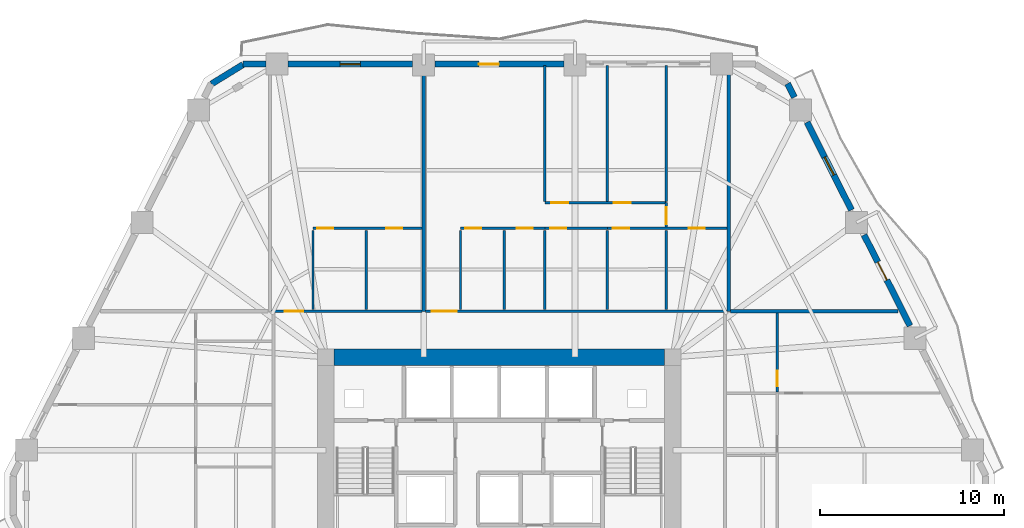
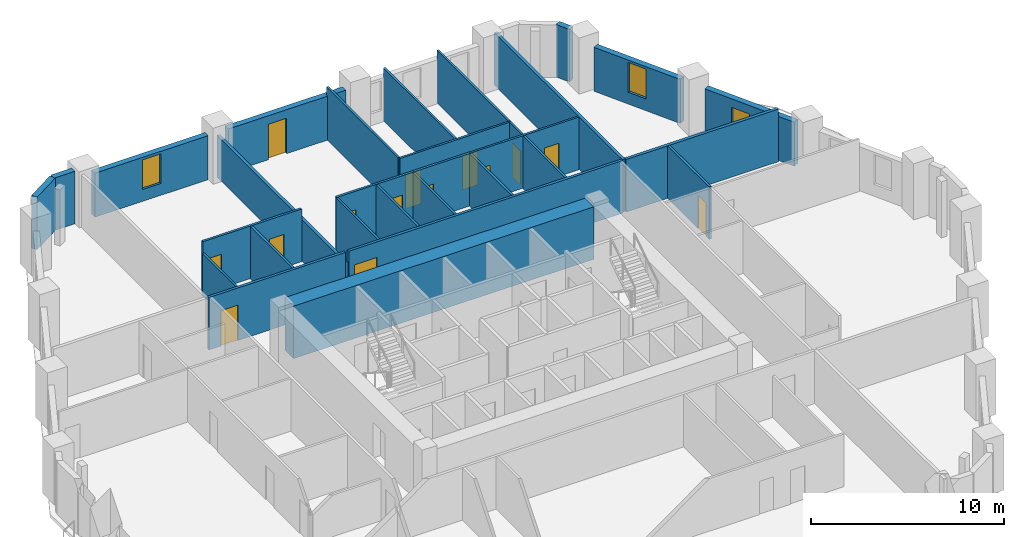
# One storey, part 7 of 11: 30 walls, 15 doors, 2 windows, 17 openings.
"""IFC4 building model written with IfcOpenShell, lengths in metres."""

from ifc_helpers import new_model, si_unit, direction, frame, frame_2d, origin, place, context, subcontext, project, spatial, rectangle, extrude, material, layer, layer_set, type_object, element, fill, save


model = new_model("IFC4")

# Units and contexts
model_context = context("Model", 3, precision=1e-05, world=origin(), true_north=direction((0.0, 1.0)))
body_context = subcontext(model_context, "Body", "Model", "MODEL_VIEW")
ifc_project = project(units=[si_unit("LENGTHUNIT", "METRE"), si_unit("AREAUNIT", "SQUARE_METRE"), si_unit("VOLUMEUNIT", "CUBIC_METRE"), si_unit("PLANEANGLEUNIT", "RADIAN"), si_unit("MASSUNIT", "GRAM", prefix="KILO")], contexts=[model_context])

# Site, building, storey
site_placement = place(None, origin())
site = spatial("IfcSite", under=ifc_project, at=site_placement, CompositionType="ELEMENT")
building_placement = place(site_placement, origin())
building = spatial("IfcBuilding", under=site, at=building_placement, Name="Cinnabar Lancet Tower", CompositionType="ELEMENT")
storey_placement = place(building_placement, frame((0.0, 0.0, 46.199951171875)))
storey = spatial("IfcBuildingStorey", under=building, at=storey_placement, Name="L11", CompositionType="ELEMENT", Elevation=46.199951171875)

# Wall, opening, door
ifc_material_1 = material(Name="Acoustic twin-stud gypsum partition", Category="gypsum")
ifc_layer_1 = layer(ifc_material_1, 0.159912109375)
ifc_layer_set_1 = layer_set([ifc_layer_1], Name="Acoustic twin-stud gypsum partition")
wall_type_1 = type_object("IfcWallType", Name="ARC-WL-CORR-160", PredefinedType="PARTITIONING", material=ifc_layer_set_1)
wall_1_placement = place(storey_placement, frame((19.9951171875, 35.85009765625, 0.0), z_axis=(0.0, 0.0, 1.0), x_axis=(1.0, 0.0, 0.0)))
wall_1 = element("IfcWall", 1, at=wall_1_placement, inside=storey, type_object=wall_type_1, Name="L11 Unit N01 Corridor Wall", PredefinedType="PARTITIONING", context=body_context, shape_type="SweptSolid", body=[
    extrude(rectangle(XDim=8.18798828125, YDim=0.159912109375, at=frame_2d((4.093994140625, 0.0))), origin(), (0.0, 0.0, 1.0), 3.330078125),
])
opening_1_placement = place(wall_1_placement, frame((0.705078125, 0.0, 0.0)))
opening_1 = element("IfcOpeningElement", 2, at=opening_1_placement, cuts=wall_1, Name="Opening UD-01", PredefinedType="OPENING", context=body_context, shape_type="SweptSolid", body=[
    extrude(rectangle(XDim=1.02001953125, YDim=2.25, at=frame_2d((0.510009765625, 1.125))), frame((0.0, 0.08984375, 0.0), z_axis=(0.0, -1.0, 0.0), x_axis=(1.0, 0.0, 0.0)), (0.0, 0.0, 1.0), 0.179931640625),
])
ifc_material_2 = material(Name="Solid timber fire-rated apartment entrance door", Category="wood")
door_type_1 = type_object("IfcDoorType", Name="ARC-DR-UNIT", OperationType="NOTDEFINED", PredefinedType="DOOR", material=ifc_material_2)
door_1_placement = place(opening_1_placement, origin())
door_1 = element("IfcDoor", 3, at=door_1_placement, inside=storey, type_object=door_type_1, Name="DR-L11-N01-ENT", OperationType="SINGLE_SWING_LEFT", OverallHeight=2.25, OverallWidth=1.02001953125, PredefinedType="DOOR", context=body_context, shape_type="SweptSolid", body=[
    extrude(rectangle(XDim=1.02001953125, YDim=2.25, at=frame_2d((0.510009765625, 1.125))), frame((0.0, 0.02490234375, 0.0), z_axis=(0.0, -1.0, 0.0), x_axis=(1.0, 0.0, 0.0)), (0.0, 0.0, 1.0), 0.050048828125),
])
fill(opening_1, door_1)

wall_2_placement = place(storey_placement, frame((28.373046875, 35.85009765625, 0.0), z_axis=(0.0, 0.0, 1.0), x_axis=(1.0, 0.0, 0.0)))
wall_2 = element("IfcWall", 4, at=wall_2_placement, inside=storey, type_object=wall_type_1, Name="L11 Unit N02 Corridor Wall", PredefinedType="PARTITIONING", context=body_context, shape_type="SweptSolid", body=[
    extrude(rectangle(XDim=16.431884765625, YDim=0.159912109375, at=frame_2d((8.2158203125, 0.0))), origin(), (0.0, 0.0, 1.0), 3.330078125),
])
opening_2_placement = place(wall_2_placement, frame((0.35498046875, 0.0, 0.0)))
opening_2 = element("IfcOpeningElement", 5, at=opening_2_placement, cuts=wall_2, Name="Opening UD-02", PredefinedType="OPENING", context=body_context, shape_type="SweptSolid", body=[
    extrude(rectangle(XDim=1.35009765625, YDim=2.35009765625, at=frame_2d((0.675048828125, 1.175048828125))), frame((0.0, 0.08984375, 0.0), z_axis=(0.0, -1.0, 0.0), x_axis=(1.0, 0.0, 0.0)), (0.0, 0.0, 1.0), 0.179931640625),
])
ifc_material_3 = material(Name="Double-leaf solid timber penthouse entrance door", Category="wood")
door_type_2 = type_object("IfcDoorType", Name="ARC-DR-UNIT-PH", OperationType="NOTDEFINED", PredefinedType="DOOR", material=ifc_material_3)
door_2_placement = place(opening_2_placement, origin())
door_2 = element("IfcDoor", 6, at=door_2_placement, inside=storey, type_object=door_type_2, Name="DR-L11-N02-ENT", OperationType="SINGLE_SWING_RIGHT", OverallHeight=2.35009765625, OverallWidth=1.35009765625, PredefinedType="DOOR", context=body_context, shape_type="SweptSolid", body=[
    extrude(rectangle(XDim=1.35009765625, YDim=2.35009765625, at=frame_2d((0.675048828125, 1.175048828125))), frame((0.0, 0.02490234375, 0.0), z_axis=(0.0, -1.0, 0.0), x_axis=(1.0, 0.0, 0.0)), (0.0, 0.0, 1.0), 0.050048828125),
])
fill(opening_2, door_2)

# Walls
ifc_material_4 = material(Name="Fire-rated twin-frame acoustic drywall", Category="gypsum")
ifc_layer_2 = layer(ifc_material_4, 0.179931640625)
ifc_layer_set_2 = layer_set([ifc_layer_2], Name="Fire-rated twin-frame acoustic drywall")
wall_type_2 = type_object("IfcWallType", Name="ARC-WL-PARTY-180", PredefinedType="PARTITIONING", material=ifc_layer_set_2)
wall_3_placement = place(storey_placement, frame((28.278076171875, 35.85009765625, 0.0), z_axis=(0.0, 0.0, 1.0), x_axis=(0.0, 1.0, 0.0)))
element("IfcWall", 7, at=wall_3_placement, inside=storey, type_object=wall_type_2, Name="PW-L11-NPTY-283", PredefinedType="PARTITIONING", context=body_context, shape_type="SweptSolid", body=[
    extrude(rectangle(XDim=13.294921875, YDim=0.179931640625, at=frame_2d((6.6474609375, 0.0))), origin(), (0.0, 0.0, 1.0), 2.636962890625),
])
wall_4_placement = place(storey_placement, frame((44.89990234375, 35.85009765625, 0.0), z_axis=(0.0, 0.0, 1.0), x_axis=(0.0, 1.0, 0.0)))
element("IfcWall", 8, at=wall_4_placement, inside=storey, type_object=wall_type_2, Name="PW-L11-NPTY-449", PredefinedType="PARTITIONING", context=body_context, shape_type="SweptSolid", body=[
    extrude(rectangle(XDim=13.294921875, YDim=0.179931640625, at=frame_2d((6.6474609375, 0.0))), origin(), (0.0, 0.0, 1.0), 3.330078125),
])
wall_5_placement = place(storey_placement, frame((44.9951171875, 35.85009765625, 0.0), z_axis=(0.0, 0.0, 1.0), x_axis=(1.0, 0.0, 0.0)))
element("IfcWall", 9, at=wall_5_placement, inside=storey, type_object=wall_type_2, Name="PW-L11-ENB", PredefinedType="PARTITIONING", context=body_context, shape_type="SweptSolid", body=[
    extrude(rectangle(XDim=9.139892578125, YDim=0.179931640625, at=frame_2d((4.56982421875, 0.0))), origin(), (0.0, 0.0, 1.0), 3.330078125),
])
ifc_material_5 = material(Name="Gypsum plasterboard stud partition", Category="gypsum")
ifc_layer_3 = layer(ifc_material_5, 0.125)
ifc_layer_set_3 = layer_set([ifc_layer_3], Name="Gypsum plasterboard stud partition")
wall_type_3 = type_object("IfcWallType", Name="ARC-WL-UNIT-125", PredefinedType="PARTITIONING", material=ifc_layer_set_3)
wall_6_placement = place(storey_placement, frame((22.25, 35.93505859375, 0.0), z_axis=(0.0, 0.0, 1.0), x_axis=(0.0, 1.0, 0.0)))
element("IfcWall", 10, at=wall_6_placement, inside=storey, type_object=wall_type_3, Name="UW-L11-N01-FOYE", PredefinedType="PARTITIONING", context=body_context, shape_type="SweptSolid", body=[
    extrude(rectangle(XDim=4.329833984375, YDim=0.125, at=frame_2d((2.1650390625, 0.0))), origin(), (0.0, 0.0, 1.0), 2.636962890625),
])
wall_7_placement = place(storey_placement, frame((30.278076171875, 35.93505859375, 0.0), z_axis=(0.0, 0.0, 1.0), x_axis=(0.0, 1.0, 0.0)))
element("IfcWall", 11, at=wall_7_placement, inside=storey, type_object=wall_type_3, Name="UW-L11-N02-FOYE", PredefinedType="PARTITIONING", context=body_context, shape_type="SweptSolid", body=[
    extrude(rectangle(XDim=4.329833984375, YDim=0.125, at=frame_2d((2.1650390625, 0.0))), origin(), (0.0, 0.0, 1.0), 3.330078125),
])

# Wall, openings, doors
wall_8_placement = place(storey_placement, frame((38.284912109375, 40.3701171875, 0.0), z_axis=(0.0, 0.0, 1.0), x_axis=(1.0, 0.0, 0.0)))
wall_8 = element("IfcWall", 12, at=wall_8_placement, inside=storey, type_object=wall_type_3, Name="UW-L11-N02-SP2", PredefinedType="PARTITIONING", context=body_context, shape_type="SweptSolid", body=[
    extrude(rectangle(XDim=6.52001953125, YDim=0.125, at=frame_2d((3.260009765625, 0.0))), origin(), (0.0, 0.0, 1.0), 3.330078125),
])
opening_3_placement = place(wall_8_placement, frame((4.43896484375, 0.0, 0.0)))
opening_3 = element("IfcOpeningElement", 13, at=opening_3_placement, cuts=wall_8, Name="Opening BD-01", PredefinedType="OPENING", context=body_context, shape_type="SweptSolid", body=[
    extrude(rectangle(XDim=0.860107421875, YDim=2.10009765625, at=frame_2d((0.43017578125, 1.050048828125))), frame((0.0, 0.072509765625, 0.0), z_axis=(0.0, -1.0, 0.0), x_axis=(1.0, 0.0, 0.0)), (0.0, 0.0, 1.0), 0.14501953125),
])
opening_4_placement = place(wall_8_placement, frame((0.300048828125, 0.0, 0.0)))
opening_4 = element("IfcOpeningElement", 14, at=opening_4_placement, cuts=wall_8, Name="Opening RD-02", PredefinedType="OPENING", context=body_context, shape_type="SweptSolid", body=[
    extrude(rectangle(XDim=0.8798828125, YDim=2.14990234375, at=frame_2d((0.43994140625, 1.074951171875))), frame((0.0, 0.072509765625, 0.0), z_axis=(0.0, -1.0, 0.0), x_axis=(1.0, 0.0, 0.0)), (0.0, 0.0, 1.0), 0.14501953125),
])
ifc_material_6 = material(Name="Moisture-resistant timber bathroom door", Category="wood")
door_type_3 = type_object("IfcDoorType", Name="ARC-DR-BATH", OperationType="NOTDEFINED", PredefinedType="DOOR", material=ifc_material_6)
door_3_placement = place(opening_3_placement, origin())
door_3 = element("IfcDoor", 15, at=door_3_placement, inside=storey, type_object=door_type_3, Name="DR-L11-N02-ENS", OperationType="SINGLE_SWING_LEFT", OverallHeight=2.10009765625, OverallWidth=0.860107421875, PredefinedType="DOOR", context=body_context, shape_type="SweptSolid", body=[
    extrude(rectangle(XDim=0.860107421875, YDim=2.10009765625, at=frame_2d((0.43017578125, 1.050048828125))), frame((0.0, 0.02490234375, 0.0), z_axis=(0.0, -1.0, 0.0), x_axis=(1.0, 0.0, 0.0)), (0.0, 0.0, 1.0), 0.050048828125),
])
fill(opening_3, door_3)
ifc_material_7 = material(Name="Engineered timber study door", Category="wood")
door_type_4 = type_object("IfcDoorType", Name="ARC-DR-STUDY", OperationType="NOTDEFINED", PredefinedType="DOOR", material=ifc_material_7)
door_4_placement = place(opening_4_placement, origin())
door_4 = element("IfcDoor", 16, at=door_4_placement, inside=storey, type_object=door_type_4, Name="DR-L11-N02-DRS", OperationType="SINGLE_SWING_RIGHT", OverallHeight=2.14990234375, OverallWidth=0.8798828125, PredefinedType="DOOR", context=body_context, shape_type="SweptSolid", body=[
    extrude(rectangle(XDim=0.8798828125, YDim=2.14990234375, at=frame_2d((0.43994140625, 1.074951171875))), frame((0.0, 0.02490234375, 0.0), z_axis=(0.0, -1.0, 0.0), x_axis=(1.0, 0.0, 0.0)), (0.0, 0.0, 1.0), 0.050048828125),
])
fill(opening_4, door_4)

# Wall
wall_9_placement = place(storey_placement, frame((34.8779296875, 41.8349609375, 0.0), z_axis=(0.0, 0.0, 1.0), x_axis=(0.0, 1.0, 0.0)))
element("IfcWall", 17, at=wall_9_placement, inside=storey, type_object=wall_type_3, Name="UW-L11-N02-BD2W", PredefinedType="PARTITIONING", context=body_context, shape_type="SweptSolid", body=[
    extrude(rectangle(XDim=7.400146484375, YDim=0.125, at=frame_2d((3.7001953125, 0.0))), origin(), (0.0, 0.0, 1.0), 3.330078125),
])

# Wall, openings, doors
wall_10_placement = place(storey_placement, frame((34.8779296875, 41.77001953125, 0.0), z_axis=(0.0, 0.0, 1.0), x_axis=(1.0, 0.0, 0.0)))
wall_10 = element("IfcWall", 18, at=wall_10_placement, inside=storey, type_object=wall_type_3, Name="UW-L11-N02-HLN", PredefinedType="PARTITIONING", context=body_context, shape_type="SweptSolid", body=[
    extrude(rectangle(XDim=6.614990234375, YDim=0.125, at=frame_2d((3.3076171875, 0.0))), origin(), (0.0, 0.0, 1.0), 3.330078125),
])
opening_5_placement = place(wall_10_placement, frame((0.35009765625, 0.0, 0.0)))
opening_5 = element("IfcOpeningElement", 19, at=opening_5_placement, cuts=wall_10, Name="Opening RD-01", PredefinedType="OPENING", context=body_context, shape_type="SweptSolid", body=[
    extrude(rectangle(XDim=0.919921875, YDim=2.14990234375, at=frame_2d((0.4599609375, 1.074951171875))), frame((0.0, 0.072509765625, 0.0), z_axis=(0.0, -1.0, 0.0), x_axis=(1.0, 0.0, 0.0)), (0.0, 0.0, 1.0), 0.14501953125),
])
opening_6_placement = place(wall_10_placement, frame((3.757080078125, 0.0, 0.0)))
opening_6 = element("IfcOpeningElement", 20, at=opening_6_placement, cuts=wall_10, Name="Opening RD-01", PredefinedType="OPENING", context=body_context, shape_type="SweptSolid", body=[
    extrude(rectangle(XDim=0.919921875, YDim=2.14990234375, at=frame_2d((0.4599609375, 1.074951171875))), frame((0.0, 0.072509765625, 0.0), z_axis=(0.0, -1.0, 0.0), x_axis=(1.0, 0.0, 0.0)), (0.0, 0.0, 1.0), 0.14501953125),
])
ifc_material_8 = material(Name="Engineered timber bedroom door", Category="wood")
door_type_5 = type_object("IfcDoorType", Name="ARC-DR-ROOM", OperationType="NOTDEFINED", PredefinedType="DOOR", material=ifc_material_8)
door_5_placement = place(opening_5_placement, origin())
door_5 = element("IfcDoor", 21, at=door_5_placement, inside=storey, type_object=door_type_5, Name="DR-L11-N02-BD2", OperationType="SINGLE_SWING_LEFT", OverallHeight=2.14990234375, OverallWidth=0.919921875, PredefinedType="DOOR", context=body_context, shape_type="SweptSolid", body=[
    extrude(rectangle(XDim=0.919921875, YDim=2.14990234375, at=frame_2d((0.4599609375, 1.074951171875))), frame((0.0, 0.02490234375, 0.0), z_axis=(0.0, -1.0, 0.0), x_axis=(1.0, 0.0, 0.0)), (0.0, 0.0, 1.0), 0.050048828125),
])
fill(opening_5, door_5)
door_6_placement = place(opening_6_placement, origin())
door_6 = element("IfcDoor", 22, at=door_6_placement, inside=storey, type_object=door_type_5, Name="DR-L11-N02-BD3", OperationType="SINGLE_SWING_RIGHT", OverallHeight=2.14990234375, OverallWidth=0.919921875, PredefinedType="DOOR", context=body_context, shape_type="SweptSolid", body=[
    extrude(rectangle(XDim=0.919921875, YDim=2.14990234375, at=frame_2d((0.4599609375, 1.074951171875))), frame((0.0, 0.02490234375, 0.0), z_axis=(0.0, -1.0, 0.0), x_axis=(1.0, 0.0, 0.0)), (0.0, 0.0, 1.0), 0.050048828125),
])
fill(opening_6, door_6)

# Wall, opening, door
wall_11_placement = place(storey_placement, frame((41.492919921875, 40.43994140625, 0.0), z_axis=(0.0, 0.0, 1.0), x_axis=(0.0, 1.0, 0.0)))
wall_11 = element("IfcWall", 23, at=wall_11_placement, inside=storey, type_object=wall_type_3, Name="UW-L11-N02-MBE", PredefinedType="PARTITIONING", context=body_context, shape_type="SweptSolid", body=[
    extrude(rectangle(XDim=1.330078125, YDim=0.125, at=frame_2d((0.6650390625, 0.0))), origin(), (0.0, 0.0, 1.0), 3.330078125),
])
opening_7_placement = place(wall_11_placement, frame((0.159912109375, 0.0, 0.0)))
opening_7 = element("IfcOpeningElement", 24, at=opening_7_placement, cuts=wall_11, Name="Opening RD-01", PredefinedType="OPENING", context=body_context, shape_type="SweptSolid", body=[
    extrude(rectangle(XDim=0.919921875, YDim=2.14990234375, at=frame_2d((0.4599609375, 1.074951171875))), frame((0.0, 0.072509765625, 0.0), z_axis=(0.0, -1.0, 0.0), x_axis=(1.0, 0.0, 0.0)), (0.0, 0.0, 1.0), 0.14501953125),
])
door_7_placement = place(opening_7_placement, origin())
door_7 = element("IfcDoor", 25, at=door_7_placement, inside=storey, type_object=door_type_5, Name="DR-L11-N02-MBD", OperationType="SINGLE_SWING_LEFT", OverallHeight=2.14990234375, OverallWidth=0.919921875, PredefinedType="DOOR", context=body_context, shape_type="SweptSolid", body=[
    extrude(rectangle(XDim=0.919921875, YDim=2.14990234375, at=frame_2d((0.4599609375, 1.074951171875))), frame((0.0, 0.02490234375, 0.0), z_axis=(0.0, -1.0, 0.0), x_axis=(1.0, 0.0, 0.0)), (0.0, 0.0, 1.0), 0.050048828125),
])
fill(opening_7, door_7)

# Walls
for number, where, z_axis, x_axis, name in (
    (26, (38.284912109375, 41.8349609375, 0.0), (0.0, 0.0, 1.0), (0.0, 1.0, 0.0), "UW-L11-N02-MB2W"),
    (27, (41.492919921875, 41.8349609375, 0.0), (0.0, 0.0, 1.0), (0.0, 1.0, 0.0), "UW-L11-N02-B23W"),
):
    element("IfcWall", number, at=place(storey_placement, frame(where, z_axis=z_axis, x_axis=x_axis)), inside=storey, type_object=wall_type_3, Name=name, PredefinedType="PARTITIONING", context=body_context, shape_type="SweptSolid", body=[
        extrude(rectangle(XDim=7.400146484375, YDim=0.125, at=frame_2d((3.7001953125, 0.0))), origin(), (0.0, 0.0, 1.0), 3.330078125),
    ])

# Wall, openings, doors
ifc_material_9 = material(Name="Moisture-resistant cement-board plumbing wall", Category="masonry")
ifc_layer_4 = layer(ifc_material_9, 0.139892578125)
ifc_layer_set_4 = layer_set([ifc_layer_4], Name="Moisture-resistant cement-board plumbing wall")
wall_type_4 = type_object("IfcWallType", Name="ARC-WL-WET-140", PredefinedType="PLUMBINGWALL", material=ifc_layer_set_4)
wall_12_placement = place(storey_placement, frame((22.25, 40.3701171875, 0.0), z_axis=(0.0, 0.0, 1.0), x_axis=(1.0, 0.0, 0.0)))
wall_12 = element("IfcWall", 28, at=wall_12_placement, inside=storey, type_object=wall_type_4, Name="UW-L11-N01-SPL", PredefinedType="PLUMBINGWALL", context=body_context, shape_type="SweptSolid", body=[
    extrude(rectangle(XDim=5.93310546875, YDim=0.139892578125, at=frame_2d((2.966552734375, 0.0))), origin(), (0.0, 0.0, 1.0), 3.330078125),
])
opening_8_placement = place(wall_12_placement, frame((3.988037109375, 0.0, 0.0)))
opening_8 = element("IfcOpeningElement", 29, at=opening_8_placement, cuts=wall_12, Name="Opening BD-01", PredefinedType="OPENING", context=body_context, shape_type="SweptSolid", body=[
    extrude(rectangle(XDim=0.860107421875, YDim=2.10009765625, at=frame_2d((0.43017578125, 1.050048828125))), frame((0.0, 0.079833984375, 0.0), z_axis=(0.0, -1.0, 0.0), x_axis=(1.0, 0.0, 0.0)), (0.0, 0.0, 1.0), 0.159912109375),
])
opening_9_placement = place(wall_12_placement, frame((0.219970703125, 0.0, 0.0)))
opening_9 = element("IfcOpeningElement", 30, at=opening_9_placement, cuts=wall_12, Name="Opening RD-02", PredefinedType="OPENING", context=body_context, shape_type="SweptSolid", body=[
    extrude(rectangle(XDim=0.8798828125, YDim=2.14990234375, at=frame_2d((0.43994140625, 1.074951171875))), frame((0.0, 0.079833984375, 0.0), z_axis=(0.0, -1.0, 0.0), x_axis=(1.0, 0.0, 0.0)), (0.0, 0.0, 1.0), 0.159912109375),
])
door_8_placement = place(opening_8_placement, origin())
door_8 = element("IfcDoor", 31, at=door_8_placement, inside=storey, type_object=door_type_3, Name="DR-L11-N01-BTH", OperationType="SINGLE_SWING_LEFT", OverallHeight=2.10009765625, OverallWidth=0.860107421875, PredefinedType="DOOR", context=body_context, shape_type="SweptSolid", body=[
    extrude(rectangle(XDim=0.860107421875, YDim=2.10009765625, at=frame_2d((0.43017578125, 1.050048828125))), frame((0.0, 0.02490234375, 0.0), z_axis=(0.0, -1.0, 0.0), x_axis=(1.0, 0.0, 0.0)), (0.0, 0.0, 1.0), 0.050048828125),
])
fill(opening_8, door_8)
door_9_placement = place(opening_9_placement, origin())
door_9 = element("IfcDoor", 32, at=door_9_placement, inside=storey, type_object=door_type_4, Name="DR-L11-N01-KIT", OperationType="SINGLE_SWING_RIGHT", OverallHeight=2.14990234375, OverallWidth=0.8798828125, PredefinedType="DOOR", context=body_context, shape_type="SweptSolid", body=[
    extrude(rectangle(XDim=0.8798828125, YDim=2.14990234375, at=frame_2d((0.43994140625, 1.074951171875))), frame((0.0, 0.02490234375, 0.0), z_axis=(0.0, -1.0, 0.0), x_axis=(1.0, 0.0, 0.0)), (0.0, 0.0, 1.0), 0.050048828125),
])
fill(opening_9, door_9)

# Wall
wall_13_placement = place(storey_placement, frame((25.14306640625, 35.93505859375, 0.0), z_axis=(0.0, 0.0, 1.0), x_axis=(0.0, 1.0, 0.0)))
element("IfcWall", 33, at=wall_13_placement, inside=storey, type_object=wall_type_4, Name="UW-L11-N01-KDV", PredefinedType="PLUMBINGWALL", context=body_context, shape_type="SweptSolid", body=[
    extrude(rectangle(XDim=4.329833984375, YDim=0.139892578125, at=frame_2d((2.1650390625, 0.0))), origin(), (0.0, 0.0, 1.0), 3.330078125),
])

# Wall, openings, doors
wall_14_placement = place(storey_placement, frame((30.278076171875, 40.3701171875, 0.0), z_axis=(0.0, 0.0, 1.0), x_axis=(1.0, 0.0, 0.0)))
wall_14 = element("IfcWall", 34, at=wall_14_placement, inside=storey, type_object=wall_type_4, Name="UW-L11-N02-SPL", PredefinedType="PLUMBINGWALL", context=body_context, shape_type="SweptSolid", body=[
    extrude(rectangle(XDim=4.599853515625, YDim=0.139892578125, at=frame_2d((2.2998046875, 0.0))), origin(), (0.0, 0.0, 1.0), 3.330078125),
])
opening_10_placement = place(wall_14_placement, frame((3.071044921875, 0.0, 0.0)))
opening_10 = element("IfcOpeningElement", 35, at=opening_10_placement, cuts=wall_14, Name="Opening BD-01", PredefinedType="OPENING", context=body_context, shape_type="SweptSolid", body=[
    extrude(rectangle(XDim=0.860107421875, YDim=2.10009765625, at=frame_2d((0.43017578125, 1.050048828125))), frame((0.0, 0.079833984375, 0.0), z_axis=(0.0, -1.0, 0.0), x_axis=(1.0, 0.0, 0.0)), (0.0, 0.0, 1.0), 0.159912109375),
])
opening_11_placement = place(wall_14_placement, frame((0.260009765625, 0.0, 0.0)))
opening_11 = element("IfcOpeningElement", 36, at=opening_11_placement, cuts=wall_14, Name="Opening RD-02", PredefinedType="OPENING", context=body_context, shape_type="SweptSolid", body=[
    extrude(rectangle(XDim=0.8798828125, YDim=2.14990234375, at=frame_2d((0.43994140625, 1.074951171875))), frame((0.0, 0.079833984375, 0.0), z_axis=(0.0, -1.0, 0.0), x_axis=(1.0, 0.0, 0.0)), (0.0, 0.0, 1.0), 0.159912109375),
])
door_10_placement = place(opening_10_placement, origin())
door_10 = element("IfcDoor", 37, at=door_10_placement, inside=storey, type_object=door_type_3, Name="DR-L11-N02-BTH", OperationType="SINGLE_SWING_RIGHT", OverallHeight=2.10009765625, OverallWidth=0.860107421875, PredefinedType="DOOR", context=body_context, shape_type="SweptSolid", body=[
    extrude(rectangle(XDim=0.860107421875, YDim=2.10009765625, at=frame_2d((0.43017578125, 1.050048828125))), frame((0.0, 0.02490234375, 0.0), z_axis=(0.0, -1.0, 0.0), x_axis=(1.0, 0.0, 0.0)), (0.0, 0.0, 1.0), 0.050048828125),
])
fill(opening_10, door_10)
door_11_placement = place(opening_11_placement, origin())
door_11 = element("IfcDoor", 38, at=door_11_placement, inside=storey, type_object=door_type_4, Name="DR-L11-N02-KIT", OperationType="SINGLE_SWING_LEFT", OverallHeight=2.14990234375, OverallWidth=0.8798828125, PredefinedType="DOOR", context=body_context, shape_type="SweptSolid", body=[
    extrude(rectangle(XDim=0.8798828125, YDim=2.14990234375, at=frame_2d((0.43994140625, 1.074951171875))), frame((0.0, 0.02490234375, 0.0), z_axis=(0.0, -1.0, 0.0), x_axis=(1.0, 0.0, 0.0)), (0.0, 0.0, 1.0), 0.050048828125),
])
fill(opening_11, door_11)

# Wall, opening, door
wall_15_placement = place(storey_placement, frame((34.8779296875, 40.3701171875, 0.0), z_axis=(0.0, 0.0, 1.0), x_axis=(1.0, 0.0, 0.0)))
wall_15 = element("IfcWall", 39, at=wall_15_placement, inside=storey, type_object=wall_type_4, Name="UW-L11-N02-SPM", PredefinedType="PLUMBINGWALL", context=body_context, shape_type="SweptSolid", body=[
    extrude(rectangle(XDim=3.406982421875, YDim=0.139892578125, at=frame_2d((1.70361328125, 0.0))), origin(), (0.0, 0.0, 1.0), 3.330078125),
])
opening_12_placement = place(wall_15_placement, frame((0.300048828125, 0.0, 0.0)))
opening_12 = element("IfcOpeningElement", 40, at=opening_12_placement, cuts=wall_15, Name="Opening RD-02", PredefinedType="OPENING", context=body_context, shape_type="SweptSolid", body=[
    extrude(rectangle(XDim=0.8798828125, YDim=2.14990234375, at=frame_2d((0.43994140625, 1.074951171875))), frame((0.0, 0.079833984375, 0.0), z_axis=(0.0, -1.0, 0.0), x_axis=(1.0, 0.0, 0.0)), (0.0, 0.0, 1.0), 0.159912109375),
])
door_12_placement = place(opening_12_placement, origin())
door_12 = element("IfcDoor", 41, at=door_12_placement, inside=storey, type_object=door_type_4, Name="DR-L11-N02-UTL", OperationType="SINGLE_SWING_RIGHT", OverallHeight=2.14990234375, OverallWidth=0.8798828125, PredefinedType="DOOR", context=body_context, shape_type="SweptSolid", body=[
    extrude(rectangle(XDim=0.8798828125, YDim=2.14990234375, at=frame_2d((0.43994140625, 1.074951171875))), frame((0.0, 0.02490234375, 0.0), z_axis=(0.0, -1.0, 0.0), x_axis=(1.0, 0.0, 0.0)), (0.0, 0.0, 1.0), 0.050048828125),
])
fill(opening_12, door_12)

# Walls
for number, where, z_axis, x_axis, name in (
    (42, (32.669921875, 35.93505859375, 0.0), (0.0, 0.0, 1.0), (0.0, 1.0, 0.0), "UW-L11-N02-KDV"),
    (43, (34.8779296875, 35.93505859375, 0.0), (0.0, 0.0, 1.0), (0.0, 1.0, 0.0), "UW-L11-N02-ENSW"),
    (44, (38.284912109375, 35.93505859375, 0.0), (0.0, 0.0, 1.0), (0.0, 1.0, 0.0), "UW-L11-N02-ENSE"),
    (45, (41.492919921875, 35.93505859375, 0.0), (0.0, 0.0, 1.0), (0.0, 1.0, 0.0), "UW-L11-N02-UT3"),
):
    element("IfcWall", number, at=place(storey_placement, frame(where, z_axis=z_axis, x_axis=x_axis)), inside=storey, type_object=wall_type_4, Name=name, PredefinedType="PLUMBINGWALL", context=body_context, shape_type="SweptSolid", body=[
        extrude(rectangle(XDim=4.329833984375, YDim=0.139892578125, at=frame_2d((2.1650390625, 0.0))), origin(), (0.0, 0.0, 1.0), 3.330078125),
    ])

# Wall, opening, door
wall_16_placement = place(storey_placement, frame((47.550048828125, 31.4619140625, 0.0), z_axis=(0.0, 0.0, 1.0), x_axis=(0.0, 1.0, 0.0)))
wall_16 = element("IfcWall", 46, at=wall_16_placement, inside=storey, type_object=wall_type_4, Name="UW-L11-E01-SPM", PredefinedType="PLUMBINGWALL", context=body_context, shape_type="SweptSolid", body=[
    extrude(rectangle(XDim=4.29296875, YDim=0.139892578125, at=frame_2d((2.146484375, 0.0))), origin(), (0.0, 0.0, 1.0), 3.330078125),
])
opening_13_placement = place(wall_16_placement, frame((0.300048828125, 0.0, 0.0)))
opening_13 = element("IfcOpeningElement", 47, at=opening_13_placement, cuts=wall_16, Name="Opening BD-01", PredefinedType="OPENING", context=body_context, shape_type="SweptSolid", body=[
    extrude(rectangle(XDim=0.860107421875, YDim=2.10009765625, at=frame_2d((0.43017578125, 1.050048828125))), frame((0.0, 0.079833984375, 0.0), z_axis=(0.0, -1.0, 0.0), x_axis=(1.0, 0.0, 0.0)), (0.0, 0.0, 1.0), 0.159912109375),
])
door_13_placement = place(opening_13_placement, origin())
door_13 = element("IfcDoor", 48, at=door_13_placement, inside=storey, type_object=door_type_3, Name="DR-L11-E01-ENS", OperationType="SINGLE_SWING_LEFT", OverallHeight=2.10009765625, OverallWidth=0.860107421875, PredefinedType="DOOR", context=body_context, shape_type="SweptSolid", body=[
    extrude(rectangle(XDim=0.860107421875, YDim=2.10009765625, at=frame_2d((0.43017578125, 1.050048828125))), frame((0.0, 0.02490234375, 0.0), z_axis=(0.0, -1.0, 0.0), x_axis=(1.0, 0.0, 0.0)), (0.0, 0.0, 1.0), 0.050048828125),
])
fill(opening_13, door_13)

# Wall
ifc_material_10 = material(Name="Cinnabar red clay brick", Category="masonry")
ifc_layer_5 = layer(ifc_material_10, 0.340087890625)
ifc_layer_set_5 = layer_set([ifc_layer_5], Name="Cinnabar red clay brick")
wall_type_5 = type_object("IfcWallType", Name="ENV-WL-BRK-RED-340", PredefinedType="STANDARD", material=ifc_layer_set_5)
wall_17_placement = place(storey_placement, frame((18.43896484375, 49.294921875, 0.0), z_axis=(0.0, 0.0, 1.0), x_axis=(-0.851870104345, -0.523753114857, 0.0)))
element("IfcWall", 49, at=wall_17_placement, inside=storey, type_object=wall_type_5, Name="L11 Chamfered Corner Brick Pier 5.1", PredefinedType="STANDARD", context=body_context, shape_type="SweptSolid", body=[
    extrude(rectangle(XDim=2.017822265625, YDim=0.340087890625, at=frame_2d((1.0087890625, 0.0))), origin(), (0.0, 0.0, 1.0), 3.330078125),
])

# Wall, opening, door
wall_18_placement = place(storey_placement, frame((54.77587890625, 35.06103515625, 0.0), z_axis=(0.0, 0.0, 1.0), x_axis=(-0.451592100298, 0.892224509273, 0.0)))
wall_18 = element("IfcWall", 50, at=wall_18_placement, inside=storey, type_object=wall_type_5, Name="L11 Face 3 Masonry Bay Wall 3", PredefinedType="STANDARD", context=body_context, shape_type="SweptSolid", body=[
    extrude(rectangle(XDim=5.546875, YDim=0.340087890625, at=frame_2d((2.7734375, 0.0))), origin(), (0.0, 0.0, 1.0), 2.787109375),
])
opening_14_placement = place(wall_18_placement, frame((2.791015625, 0.0, 0.0)))
opening_14 = element("IfcOpeningElement", 51, at=opening_14_placement, cuts=wall_18, Name="Opening TD-01", PredefinedType="OPENING", context=body_context, shape_type="SweptSolid", body=[
    extrude(rectangle(XDim=1.10009765625, YDim=2.25, at=frame_2d((0.550048828125, 1.125))), frame((0.0, 0.179931640625, 0.0), z_axis=(0.0, -1.0, 0.0), x_axis=(1.0, 0.0, 0.0)), (0.0, 0.0, 1.0), 0.360107421875),
])
ifc_material_11 = material(Name="Thermally broken low-E glazed balcony terrace door", Category="wood")
door_type_6 = type_object("IfcDoorType", Name="ARC-DR-BALC", OperationType="NOTDEFINED", PredefinedType="DOOR", material=ifc_material_11)
door_14_placement = place(opening_14_placement, origin())
door_14 = element("IfcDoor", 52, at=door_14_placement, inside=storey, type_object=door_type_6, Name="L11 Face 3 Glazed Terrace Door", OperationType="SINGLE_SWING_RIGHT", OverallHeight=2.25, OverallWidth=1.10009765625, PredefinedType="DOOR", context=body_context, shape_type="SweptSolid", body=[
    extrude(rectangle(XDim=1.10009765625, YDim=2.25, at=frame_2d((0.550048828125, 1.125))), frame((0.0, 0.02490234375, 0.0), z_axis=(0.0, -1.0, 0.0), x_axis=(1.0, 0.0, 0.0)), (0.0, 0.0, 1.0), 0.050048828125),
])
fill(opening_14, door_14)

# Wall, opening, window
wall_19_placement = place(storey_placement, frame((51.5830078125, 41.3720703125, 0.0), z_axis=(0.0, 0.0, 1.0), x_axis=(-0.451697561555, 0.892171123095, 0.0)))
wall_19 = element("IfcWall", 53, at=wall_19_placement, inside=storey, type_object=wall_type_5, Name="L11 Face 3 Masonry Bay Wall 4", PredefinedType="STANDARD", context=body_context, shape_type="SweptSolid", body=[
    extrude(rectangle(XDim=5.350830078125, YDim=0.340087890625, at=frame_2d((2.67529296875, 0.0))), origin(), (0.0, 0.0, 1.0), 2.787109375),
])
opening_15_placement = place(wall_19_placement, frame((2.125, 0.0, 0.75)))
opening_15 = element("IfcOpeningElement", 54, at=opening_15_placement, cuts=wall_19, Name="Opening WN-04", PredefinedType="OPENING", context=body_context, shape_type="SweptSolid", body=[
    extrude(rectangle(XDim=1.10009765625, YDim=1.886962890625, at=frame_2d((0.550048828125, 0.943359375))), frame((0.0, 0.179931640625, 0.0), z_axis=(0.0, -1.0, 0.0), x_axis=(1.0, 0.0, 0.0)), (0.0, 0.0, 1.0), 0.360107421875),
])
ifc_material_12 = material(Name="Thermally broken bronze-anodized aluminium tall lancet window", Category="aluminium")
window_type = type_object("IfcWindowType", Name="ENV-WN-LANCET-1100", PartitioningType="SINGLE_PANEL", PredefinedType="WINDOW", material=ifc_material_12)
window_1_placement = place(opening_15_placement, origin())
window_1 = element("IfcWindow", 55, at=window_1_placement, inside=storey, type_object=window_type, Name="L11 Face 3 Gothic Lancet Window 4", OverallHeight=1.886962890625, OverallWidth=1.10009765625, PartitioningType="SINGLE_PANEL", PredefinedType="WINDOW", context=body_context, shape_type="SweptSolid", body=[
    extrude(rectangle(XDim=1.10009765625, YDim=1.886962890625, at=frame_2d((0.550048828125, 0.943359375))), frame((0.0, 0.030029296875, 0.0), z_axis=(0.0, -1.0, 0.0), x_axis=(1.0, 0.0, 0.0)), (0.0, 0.0, 1.0), 0.06005859375),
])
fill(opening_15, window_1)

# Wall
wall_20_placement = place(storey_placement, frame((48.47802734375, 47.508056640625, 0.0), z_axis=(0.0, 0.0, 1.0), x_axis=(-0.451995771866, 0.892020079491, 0.0)))
element("IfcWall", 56, at=wall_20_placement, inside=storey, type_object=wall_type_5, Name="L11 Face 3 Masonry Bay Wall 5", PredefinedType="STANDARD", context=body_context, shape_type="SweptSolid", body=[
    extrude(rectangle(XDim=0.836181640625, YDim=0.340087890625, at=frame_2d((0.41796875, 0.0))), origin(), (0.0, 0.0, 1.0), 3.330078125),
])

# Wall, opening, door
wall_21_placement = place(storey_placement, frame((35.91796875, 49.320068359375, 0.0), z_axis=(0.0, 0.0, 1.0), x_axis=(-1.0, 0.0, 0.0)))
wall_21 = element("IfcWall", 57, at=wall_21_placement, inside=storey, type_object=wall_type_5, Name="L11 Face 4 Masonry Bay Wall 3", PredefinedType="STANDARD", context=body_context, shape_type="SweptSolid", body=[
    extrude(rectangle(XDim=7.035888671875, YDim=0.340087890625, at=frame_2d((3.51806640625, 0.0))), origin(), (0.0, 0.0, 1.0), 2.787109375),
])
opening_16_placement = place(wall_21_placement, frame((3.5390625, 0.0, 0.0)))
opening_16 = element("IfcOpeningElement", 58, at=opening_16_placement, cuts=wall_21, Name="Opening TD-01", PredefinedType="OPENING", context=body_context, shape_type="SweptSolid", body=[
    extrude(rectangle(XDim=1.10009765625, YDim=2.25, at=frame_2d((0.550048828125, 1.125))), frame((0.0, 0.179931640625, 0.0), z_axis=(0.0, -1.0, 0.0), x_axis=(1.0, 0.0, 0.0)), (0.0, 0.0, 1.0), 0.360107421875),
])
door_15_placement = place(opening_16_placement, origin())
door_15 = element("IfcDoor", 59, at=door_15_placement, inside=storey, type_object=door_type_6, Name="L11 Face 4 Glazed Terrace Door", OperationType="SINGLE_SWING_LEFT", OverallHeight=2.25, OverallWidth=1.10009765625, PredefinedType="DOOR", context=body_context, shape_type="SweptSolid", body=[
    extrude(rectangle(XDim=1.10009765625, YDim=2.25, at=frame_2d((0.550048828125, 1.125))), frame((0.0, 0.02490234375, 0.0), z_axis=(0.0, -1.0, 0.0), x_axis=(1.0, 0.0, 0.0)), (0.0, 0.0, 1.0), 0.050048828125),
])
fill(opening_16, door_15)

# Wall, opening, window
wall_22_placement = place(storey_placement, frame((27.674072265625, 49.320068359375, 0.0), z_axis=(0.0, 0.0, 1.0), x_axis=(-1.0, 0.0, 0.0)))
wall_22 = element("IfcWall", 60, at=wall_22_placement, inside=storey, type_object=wall_type_5, Name="L11 Face 4 Masonry Bay Wall 4", PredefinedType="STANDARD", context=body_context, shape_type="SweptSolid", body=[
    extrude(rectangle(XDim=6.787109375, YDim=0.340087890625, at=frame_2d((3.3935546875, 0.0))), origin(), (0.0, 0.0, 1.0), 2.787109375),
])
opening_17_placement = place(wall_22_placement, frame((2.843017578125, 0.0, 0.75)))
opening_17 = element("IfcOpeningElement", 61, at=opening_17_placement, cuts=wall_22, Name="Opening WN-04", PredefinedType="OPENING", context=body_context, shape_type="SweptSolid", body=[
    extrude(rectangle(XDim=1.10009765625, YDim=1.886962890625, at=frame_2d((0.550048828125, 0.943359375))), frame((0.0, 0.179931640625, 0.0), z_axis=(0.0, -1.0, 0.0), x_axis=(1.0, 0.0, 0.0)), (0.0, 0.0, 1.0), 0.360107421875),
])
window_2_placement = place(opening_17_placement, origin())
window_2 = element("IfcWindow", 62, at=window_2_placement, inside=storey, type_object=window_type, Name="L11 Face 4 Gothic Lancet Window 4", OverallHeight=1.886962890625, OverallWidth=1.10009765625, PartitioningType="SINGLE_PANEL", PredefinedType="WINDOW", context=body_context, shape_type="SweptSolid", body=[
    extrude(rectangle(XDim=1.10009765625, YDim=1.886962890625, at=frame_2d((0.550048828125, 0.943359375))), frame((0.0, 0.030029296875, 0.0), z_axis=(0.0, -1.0, 0.0), x_axis=(1.0, 0.0, 0.0)), (0.0, 0.0, 1.0), 0.06005859375),
])
fill(opening_17, window_2)

# Walls
wall_23_placement = place(storey_placement, frame((19.678955078125, 49.320068359375, 0.0), z_axis=(0.0, 0.0, 1.0), x_axis=(-1.0, 0.0, 0.0)))
element("IfcWall", 63, at=wall_23_placement, inside=storey, type_object=wall_type_5, Name="L11 Face 4 Masonry Bay Wall 5", PredefinedType="STANDARD", context=body_context, shape_type="SweptSolid", body=[
    extrude(rectangle(XDim=1.244873046875, YDim=0.340087890625, at=frame_2d((0.62255859375, 0.0))), origin(), (0.0, 0.0, 1.0), 3.330078125),
])
ifc_material_13 = material(Name="Concrete C80/95", Category="concrete")
ifc_layer_6 = layer(ifc_material_13, 0.89990234375)
ifc_layer_set_6 = layer_set([ifc_layer_6], Name="Concrete C80/95")
wall_type_6 = type_object("IfcWallType", Name="STR-WL-CORE-900", PredefinedType="SHEAR", material=ifc_layer_set_6)
wall_24_placement = place(storey_placement, frame((23.39990234375, 33.35009765625, 0.0), z_axis=(0.0, 0.0, 1.0), x_axis=(1.0, 0.0, 0.0)))
element("IfcWall", 64, at=wall_24_placement, inside=storey, type_object=wall_type_6, Name="L11 Core Shear Wall N", PredefinedType="SHEAR", context=body_context, shape_type="SweptSolid", body=[
    extrude(rectangle(XDim=18.0, YDim=0.89990234375, at=frame_2d((9.0, 0.0))), origin(), (0.0, 0.0, 1.0), 3.330078125),
])

save(model, "model.ifc")
